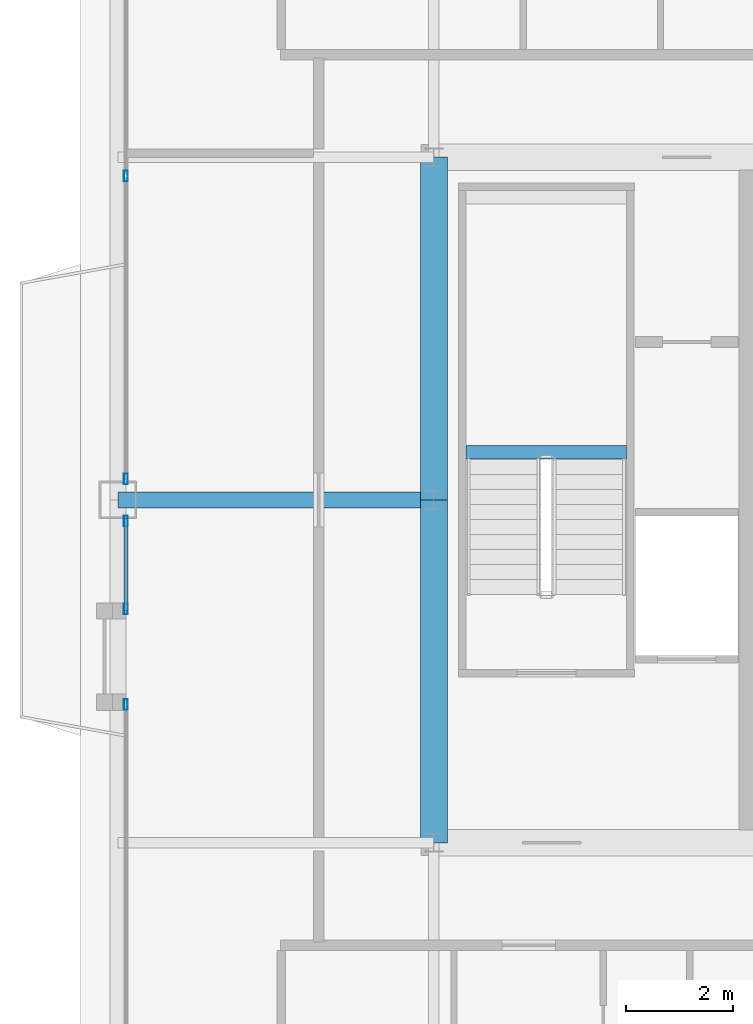
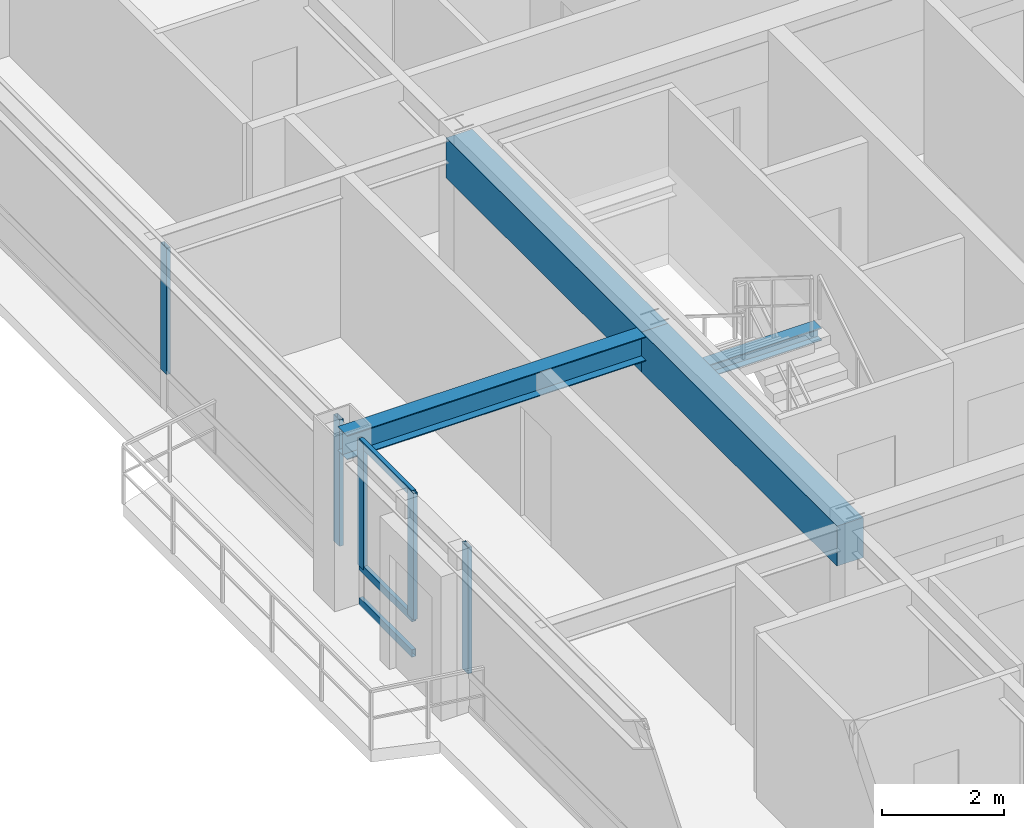
# One storey, part 9 of 33: 8 members, 4 beams, 3 elements without a shape of their own.
"""IFC4 building model written with IfcOpenShell, lengths in metres."""

from ifc_helpers import new_model, si_unit, direction, frame, origin, origin_2d, place, context, subcontext, project, spatial, rectangle, hollow_rectangle, i_section, extrude, source, transform, mapped, material, layer, layer_set, material_profile, profile_set, type_object, element, aggregate, save


model = new_model("IFC4")

# Units and contexts
model_context = context("Model", 3, precision=1e-05, world=origin(), true_north=direction((0.0, 1.0)))
body_context = subcontext(model_context, "Body", "Model", "MODEL_VIEW")
ifc_project = project(units=[si_unit("LENGTHUNIT", "METRE"), si_unit("AREAUNIT", "SQUARE_METRE"), si_unit("VOLUMEUNIT", "CUBIC_METRE"), si_unit("PLANEANGLEUNIT", "RADIAN"), si_unit("MASSUNIT", "GRAM", prefix="KILO"), si_unit("THERMODYNAMICTEMPERATUREUNIT", "KELVIN"), si_unit("POWERUNIT", "WATT")], contexts=[model_context])

# Site, building, storey
site_placement = place(None, origin())
site = spatial("IfcSite", under=ifc_project, at=site_placement, CompositionType="ELEMENT")
building_placement = place(site_placement, origin())
building = spatial("IfcBuilding", under=site, at=building_placement, Name="Yuzanri Waterfront Tower", CompositionType="ELEMENT")
storey_placement = place(building_placement, frame((0.0, 0.0, 292.60009765625)))
storey = spatial("IfcBuildingStorey", under=building, at=storey_placement, Name="L78", CompositionType="ELEMENT", Elevation=292.60009765625)

# Beams
ifc_material_1 = material(Name="Concrete C50", Category="concrete")
ifc_material_profile_1 = material_profile(ifc_material_1, rectangle(XDim=0.5, YDim=0.800048828125, at=origin_2d()), Name="RC 500x800")
ifc_profile_set_1 = profile_set([ifc_material_profile_1], Name="Concrete C50")
beam_type_1 = type_object("IfcBeamType", Name="Core Coupling Lintel Concrete C50 500x800", PredefinedType="LINTEL", material=ifc_profile_set_1)
shared_shape_1 = source(origin(), body_context, "Body", "SweptSolid", [
    extrude(rectangle(XDim=0.5, YDim=0.800048828125, at=origin_2d()), origin(), (0.0, 0.0, 1.0), 6.400146484375),
])
beam_1_placement = place(storey_placement, frame((23.800048828125, 19.39990234375, 2.8798828125), z_axis=(0.0, 1.0, 0.0), x_axis=(-1.0, 0.0, 0.0)))
element("IfcBeam", 1, at=beam_1_placement, inside=storey, type_object=beam_type_1, Name="L78 Core Tie Beam CW1", PredefinedType="LINTEL", context=body_context, shape_type="MappedRepresentation", body=[
    mapped(shared_shape_1, transform((0.0, 0.0, 0.0), scale=1.0)),
])
shared_shape_2 = source(origin(), body_context, "Body", "SweptSolid", [
    extrude(rectangle(XDim=0.5, YDim=0.800048828125, at=origin_2d()), origin(), (0.0, 0.0, 1.0), 6.39990234375),
])
beam_2_placement = place(storey_placement, frame((23.800048828125, 25.800048828125, 2.8798828125), z_axis=(0.0, 1.0, 0.0), x_axis=(-1.0, 0.0, 0.0)))
element("IfcBeam", 2, at=beam_2_placement, inside=storey, type_object=beam_type_1, Name="L78 Core Tie Beam CW2", PredefinedType="LINTEL", context=body_context, shape_type="MappedRepresentation", body=[
    mapped(shared_shape_2, transform((0.0, 0.0, 0.0), scale=1.0)),
])
ifc_material_2 = material(Name="Steel Q355B", Category="steel")
ifc_material_profile_2 = material_profile(ifc_material_2, i_section(OverallWidth=0.300048828125, OverallDepth=0.488037109375, WebThickness=0.010986328125, FlangeThickness=0.01806640625, at=origin_2d()), Name="HM 488x300x11x18")
ifc_profile_set_2 = profile_set([ifc_material_profile_2], Name="Steel Q355B")
beam_type_2 = type_object("IfcBeamType", Name="Primary Floor Girder Q355B HM 488x300", PredefinedType="BEAM", material=ifc_profile_set_2)
shared_shape_3 = source(origin(), body_context, "Body", "SweptSolid", [
    extrude(i_section(OverallWidth=0.300048828125, OverallDepth=0.488037109375, WebThickness=0.010986328125, FlangeThickness=0.01806640625, at=origin_2d()), origin(), (0.0, 0.0, 1.0), 5.900146484375),
])
beam_3_placement = place(storey_placement, frame((23.800048828125, 25.800048828125, 3.035888671875), z_axis=(-1.0, 0.0, 0.0), x_axis=(0.0, -1.0, 0.0)))
element("IfcBeam", 3, at=beam_3_placement, inside=storey, type_object=beam_type_2, Name="L78 West Grid Girder", PredefinedType="BEAM", context=body_context, shape_type="MappedRepresentation", body=[
    mapped(shared_shape_3, transform((0.0, 0.0, 0.0), scale=1.0)),
])

# Curtain wall, member
ifc_material_3 = material(Name="Anodized Architectural Bronze", Category="metal")
ifc_layer = layer(ifc_material_3, 0.159912109375)
ifc_layer_set = layer_set([ifc_layer], Name="Anodized Architectural Bronze")
curtain_wall_type = type_object("IfcCurtainWallType", Name="Anodized Bronze High-Rise Penthouse High-Wind Unitized Curtain Wall 6900", PredefinedType="NOTDEFINED", material=ifc_layer_set)
curtain_wall_1_placement = place(storey_placement, origin())
curtain_wall_1 = element("IfcCurtainWall", 4, at=curtain_wall_1_placement, inside=storey, type_object=curtain_wall_type, Name="L78 Curtain Wall CW-L78-WL1", PredefinedType="NOTDEFINED")
ifc_material_4 = material(Name="Anodized Architectural Bronze", Category="metal")
ifc_material_profile_3 = material_profile(ifc_material_4, hollow_rectangle(XDim=0.074951171875, YDim=0.199951171875, WallThickness=0.00390625, at=origin_2d()), Name="CWM 75x200")
ifc_profile_set_3 = profile_set([ifc_material_profile_3], Name="Anodized Architectural Bronze")
member_type_1 = type_object("IfcMemberType", Name="Anodized Bronze Primary Curtain-Wall Mullion 75x200", PredefinedType="MULLION", material=ifc_profile_set_3)
shared_shape_4 = source(origin(), body_context, "Body", "SweptSolid", [
    extrude(hollow_rectangle(XDim=0.074951171875, YDim=0.199951171875, WallThickness=0.00390625, at=origin_2d()), origin(), (0.0, 0.0, 1.0), 2.52392578125),
])
member_1_placement = place(storey_placement, frame((18.050048828125, 21.985107421875, 0.755859375), z_axis=(0.0, 0.0, 1.0), x_axis=(1.0, 0.0, 0.0)))
member_1 = element("IfcMember", 5, at=member_1_placement, type_object=member_type_1, Name="CW-L78-WL1 Upper Mullion 01", PredefinedType="MULLION", context=body_context, shape_type="MappedRepresentation", body=[
    mapped(shared_shape_4, transform((0.0, 0.0, 0.0), scale=1.0)),
])
aggregate(curtain_wall_1, [member_1])

# Curtain wall, members
curtain_wall_2_placement = place(storey_placement, origin())
curtain_wall_2 = element("IfcCurtainWall", 6, at=curtain_wall_2_placement, inside=storey, type_object=curtain_wall_type, Name="L78 Curtain Wall CW-L78-WL2", PredefinedType="NOTDEFINED")
member_2_placement = place(storey_placement, frame((18.050048828125, 23.764892578125, 0.755859375), z_axis=(0.0, 0.0, 1.0), x_axis=(1.0, 0.0, 0.0)))
member_2 = element("IfcMember", 7, at=member_2_placement, type_object=member_type_1, Name="CW-L78-WL2 Upper Mullion 00", PredefinedType="MULLION", context=body_context, shape_type="MappedRepresentation", body=[
    mapped(shared_shape_4, transform((0.0, 0.0, 0.0), scale=1.0)),
])
member_3_placement = place(storey_placement, frame((18.050048828125, 25.409912109375, 0.755859375), z_axis=(0.0, 0.0, 1.0), x_axis=(1.0, 0.0, 0.0)))
member_3 = element("IfcMember", 8, at=member_3_placement, type_object=member_type_1, Name="CW-L78-WL2 Upper Mullion 01", PredefinedType="MULLION", context=body_context, shape_type="MappedRepresentation", body=[
    mapped(shared_shape_4, transform((0.0, 0.0, 0.0), scale=1.0)),
])

curtain_wall_3_placement = place(storey_placement, origin())
curtain_wall_3 = element("IfcCurtainWall", 9, at=curtain_wall_3_placement, inside=storey, type_object=curtain_wall_type, Name="L78 Curtain Wall CW-L78-WR", PredefinedType="NOTDEFINED")
member_4_placement = place(storey_placement, frame((18.050048828125, 26.18994140625, 0.755859375), z_axis=(0.0, 0.0, 1.0), x_axis=(1.0, 0.0, 0.0)))
member_4 = element("IfcMember", 10, at=member_4_placement, type_object=member_type_1, Name="CW-L78-WR Upper Mullion 00", PredefinedType="MULLION", context=body_context, shape_type="MappedRepresentation", body=[
    mapped(shared_shape_4, transform((0.0, 0.0, 0.0), scale=1.0)),
])
member_5_placement = place(storey_placement, frame((18.050048828125, 31.85009765625, 0.755859375), z_axis=(0.0, 0.0, 1.0), x_axis=(1.0, 0.0, 0.0)))
member_5 = element("IfcMember", 11, at=member_5_placement, type_object=member_type_1, Name="CW-L78-WR Upper Mullion 01", PredefinedType="MULLION", context=body_context, shape_type="MappedRepresentation", body=[
    mapped(shared_shape_4, transform((0.0, 0.0, 0.0), scale=1.0)),
])
aggregate(curtain_wall_3, [member_4, member_5])

# Member
ifc_material_5 = material(Name="Anodized Architectural Bronze", Category="metal")
ifc_material_profile_4 = material_profile(ifc_material_5, hollow_rectangle(XDim=0.074951171875, YDim=0.14990234375, WallThickness=0.00390625, at=origin_2d()), Name="CWT 75x150")
ifc_profile_set_4 = profile_set([ifc_material_profile_4], Name="Anodized Architectural Bronze")
member_type_2 = type_object("IfcMemberType", Name="Anodized Bronze Primary Curtain-Wall Transom 75x150", PredefinedType="USERDEFINED", material=ifc_profile_set_4)
shared_shape_5 = source(origin(), body_context, "Body", "SweptSolid", [
    extrude(hollow_rectangle(XDim=0.074951171875, YDim=0.14990234375, WallThickness=0.00390625, at=origin_2d()), origin(), (0.0, 0.0, 1.0), 1.724853515625),
])
member_6_placement = place(storey_placement, frame((18.050048828125, 23.72509765625, 0.0498046875), z_axis=(0.0, 1.0, 0.0), x_axis=(-1.0, 0.0, 0.0)))
member_6 = element("IfcMember", 12, at=member_6_placement, type_object=member_type_2, Name="CW-L78-WL2 Transom 1", ObjectType="TRANSOM", PredefinedType="USERDEFINED", context=body_context, shape_type="MappedRepresentation", body=[
    mapped(shared_shape_5, transform((0.0, 0.0, 0.0), scale=1.0)),
])

member_7_placement = place(storey_placement, frame((18.050048828125, 23.72509765625, 0.75390625), z_axis=(0.0, 1.0, 0.0), x_axis=(-1.0, 0.0, 0.0)))
member_7 = element("IfcMember", 13, at=member_7_placement, type_object=member_type_2, Name="CW-L78-WL2 Transom 2", ObjectType="TRANSOM", PredefinedType="USERDEFINED", context=body_context, shape_type="MappedRepresentation", body=[
    mapped(shared_shape_5, transform((0.0, 0.0, 0.0), scale=1.0)),
])

member_8_placement = place(storey_placement, frame((18.050048828125, 23.72509765625, 3.22998046875), z_axis=(0.0, 1.0, 0.0), x_axis=(-1.0, 0.0, 0.0)))
member_8 = element("IfcMember", 14, at=member_8_placement, type_object=member_type_2, Name="CW-L78-WL2 Transom 3", ObjectType="TRANSOM", PredefinedType="USERDEFINED", context=body_context, shape_type="MappedRepresentation", body=[
    mapped(shared_shape_5, transform((0.0, 0.0, 0.0), scale=1.0)),
])

aggregate(curtain_wall_2, [member_2, member_3, member_6, member_7, member_8])

# Beam
ifc_material_6 = material(Name="Steel Q355B", Category="steel")
ifc_material_profile_5 = material_profile(ifc_material_6, i_section(OverallWidth=0.25, OverallDepth=0.25, WebThickness=0.009033203125, FlangeThickness=0.013916015625, at=origin_2d()), Name="HW 250x250x9x14")
ifc_profile_set_5 = profile_set([ifc_material_profile_5], Name="Steel Q355B")
beam_type_3 = type_object("IfcBeamType", Name="Stair Landing Support Beam Q355B HW 250x250", PredefinedType="BEAM", material=ifc_profile_set_5)
shared_shape_6 = source(origin(), body_context, "Body", "SweptSolid", [
    extrude(i_section(OverallWidth=0.25, OverallDepth=0.25, WebThickness=0.009033203125, FlangeThickness=0.013916015625, at=origin_2d()), origin(), (0.0, 0.0, 1.0), 3.0),
])
beam_4_placement = place(storey_placement, frame((24.39990234375, 26.68994140625, 1.4248046875), z_axis=(1.0, 0.0, 0.0), x_axis=(0.0, 1.0, 0.0)))
element("IfcBeam", 15, at=beam_4_placement, inside=storey, type_object=beam_type_3, Name="L78 Stair Landing Support Beam ST-01-L78-L1-1", PredefinedType="BEAM", context=body_context, shape_type="MappedRepresentation", body=[
    mapped(shared_shape_6, transform((0.0, 0.0, 0.0), scale=1.0)),
])

save(model, "model.ifc")
